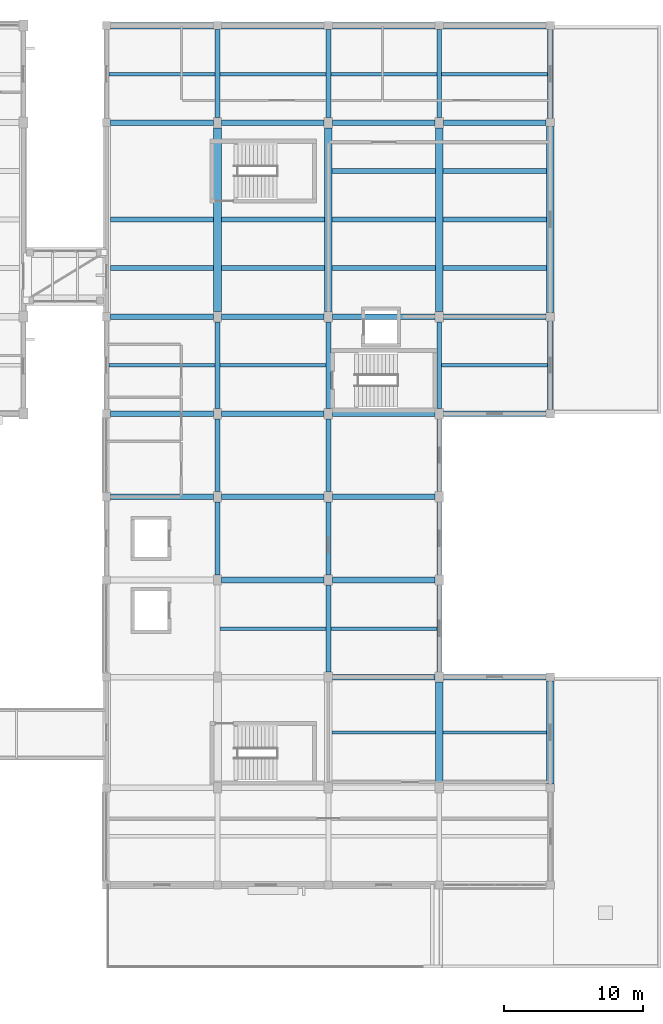
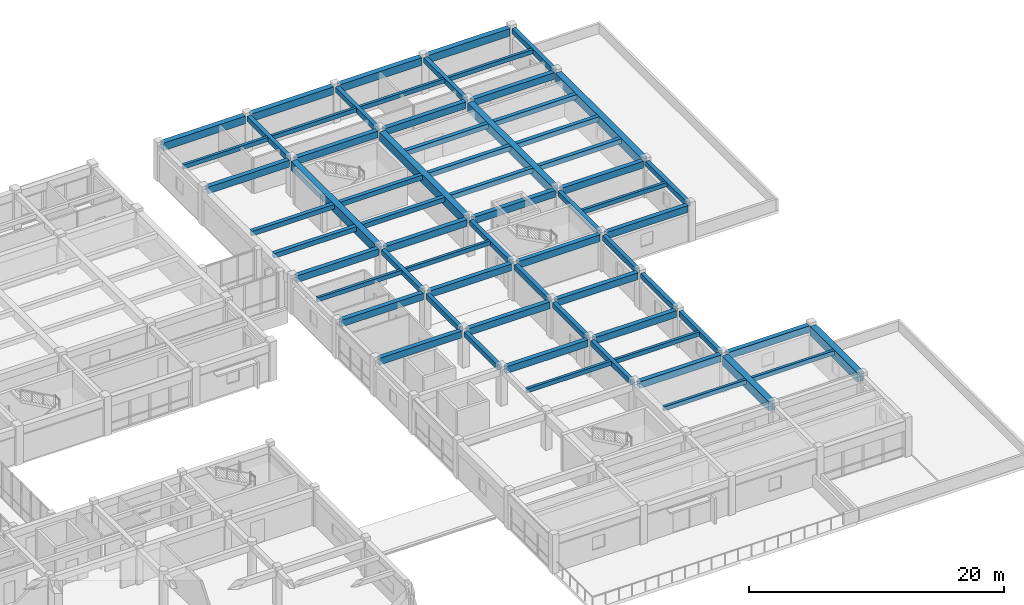
# One storey, part 17 of 42: 66 beams.
"""IFC4 building model written with IfcOpenShell, lengths in metres."""

from ifc_helpers import new_model, si_unit, direction, frame, origin, origin_2d, place, context, subcontext, project, spatial, rectangle, extrude, material, material_profile, profile_set, type_object, element, save


model = new_model("IFC4")

# Units and contexts
model_context = context("Model", 3, precision=1e-05, world=origin(), true_north=direction((0.0, 1.0)))
body_context = subcontext(model_context, "Body", "Model", "MODEL_VIEW")
ifc_project = project(units=[si_unit("LENGTHUNIT", "METRE"), si_unit("AREAUNIT", "SQUARE_METRE"), si_unit("VOLUMEUNIT", "CUBIC_METRE"), si_unit("PLANEANGLEUNIT", "RADIAN"), si_unit("MASSUNIT", "GRAM", prefix="KILO")], contexts=[model_context])

# Site, building, storey
site_placement = place(None, origin())
site = spatial("IfcSite", under=ifc_project, at=site_placement, CompositionType="ELEMENT")
building_placement = place(site_placement, origin())
building = spatial("IfcBuilding", under=site, at=building_placement, Name="Naurynzar Civic Courthouse", CompositionType="ELEMENT")
storey_placement = place(building_placement, frame((0.0, 0.0, 18.300048828125)))
storey = spatial("IfcBuildingStorey", under=building, at=storey_placement, Name="L05", CompositionType="ELEMENT", Elevation=18.300048828125)

# Beams
ifc_material_1 = material(Name="Concrete C40/50", Category="concrete")
ifc_material_profile_1 = material_profile(ifc_material_1, rectangle(XDim=0.25, YDim=0.39990234375, at=origin_2d()), Name="RCB 250x400")
ifc_profile_set_1 = profile_set([ifc_material_profile_1], Name="Concrete C40/50")
beam_type_1 = type_object("IfcBeamType", Name="BM-JST-250x400", PredefinedType="JOIST", material=ifc_profile_set_1)
for number, where, z_axis, x_axis, name in (
    (1, (146.27490234375, 21.0, 3.27001953125), (1.0, 0.0, 0.0), (0.0, 1.0, 0.0), "V5 secondary rib 2704 L05"),
    (2, (154.27490234375, 21.0, 3.27001953125), (1.0, 0.0, 0.0), (0.0, 1.0, 0.0), "V5 secondary rib 2705 L05"),
):
    element("IfcBeam", number, at=place(storey_placement, frame(where, z_axis=z_axis, x_axis=x_axis)), inside=storey, type_object=beam_type_1, Name=name, PredefinedType="JOIST", context=body_context, shape_type="SweptSolid", body=[
        extrude(rectangle(XDim=0.25, YDim=0.39990234375, at=origin_2d()), origin(), (0.0, 0.0, 1.0), 7.4501953125),
    ])
for number, where, z_axis, x_axis, name in (
    (3, (138.175048828125, 28.5, 3.27001953125), (1.0, 0.0, 0.0), (0.0, 1.0, 0.0), "V5 secondary rib 2706 L05"),
    (4, (146.175048828125, 28.5, 3.27001953125), (1.0, 0.0, 0.0), (0.0, 1.0, 0.0), "V5 secondary rib 2707 L05"),
    (5, (130.175048828125, 47.5, 3.27001953125), (1.0, 0.0, 0.0), (0.0, 1.0, 0.0), "V5 secondary rib 2708 L05"),
    (6, (138.175048828125, 47.5, 3.27001953125), (1.0, 0.0, 0.0), (0.0, 1.0, 0.0), "V5 secondary rib 2709 L05"),
    (7, (154.175048828125, 47.5, 3.27001953125), (1.0, 0.0, 0.0), (0.0, 1.0, 0.0), "V5 secondary rib 2710 L05"),
    (8, (130.175048828125, 68.5, 3.27001953125), (1.0, 0.0, 0.0), (0.0, 1.0, 0.0), "V5 secondary rib 2721 L05"),
    (9, (138.175048828125, 68.5, 3.27001953125), (1.0, 0.0, 0.0), (0.0, 1.0, 0.0), "V5 secondary rib 2722 L05"),
    (10, (146.175048828125, 68.5, 3.27001953125), (1.0, 0.0, 0.0), (0.0, 1.0, 0.0), "V5 secondary rib 2723 L05"),
    (11, (154.175048828125, 68.5, 3.27001953125), (1.0, 0.0, 0.0), (0.0, 1.0, 0.0), "V5 secondary rib 2724 L05"),
):
    element("IfcBeam", number, at=place(storey_placement, frame(where, z_axis=z_axis, x_axis=x_axis)), inside=storey, type_object=beam_type_1, Name=name, PredefinedType="JOIST", context=body_context, shape_type="SweptSolid", body=[
        extrude(rectangle(XDim=0.25, YDim=0.39990234375, at=origin_2d()), origin(), (0.0, 0.0, 1.0), 7.64990234375),
    ])
ifc_material_2 = material(Name="Concrete C40/50", Category="concrete")
ifc_material_profile_2 = material_profile(ifc_material_2, rectangle(XDim=0.550048828125, YDim=0.85009765625, at=origin_2d()), Name="PTB 550x850")
ifc_profile_set_2 = profile_set([ifc_material_profile_2], Name="Concrete C40/50")
beam_type_2 = type_object("IfcBeamType", Name="BM-PT-550x850", PredefinedType="T_BEAM", material=ifc_profile_set_2)
for number, where, z_axis, x_axis, name in (
    (12, (138.0, 51.375, 3.044921875), (0.0, 1.0, 0.0), (-1.0, 0.0, 0.0), "V5 girder Y-2677 L05"),
    (13, (146.0, 51.375, 3.044921875), (0.0, 1.0, 0.0), (-1.0, 0.0, 0.0), "V5 girder Y-2685 L05"),
    (14, (154.0, 51.375, 3.044921875), (0.0, 1.0, 0.0), (-1.0, 0.0, 0.0), "V5 girder Y-2693 L05"),
):
    element("IfcBeam", number, at=place(storey_placement, frame(where, z_axis=z_axis, x_axis=x_axis)), inside=storey, type_object=beam_type_2, Name=name, PredefinedType="T_BEAM", context=body_context, shape_type="SweptSolid", body=[
        extrude(rectangle(XDim=0.550048828125, YDim=0.85009765625, at=origin_2d()), origin(), (0.0, 0.0, 1.0), 13.25),
    ])
beam_1_placement = place(storey_placement, frame((162.0, 51.300048828125, 3.044921875), z_axis=(0.0, 1.0, 0.0), x_axis=(-1.0, 0.0, 0.0)))
element("IfcBeam", 15, at=beam_1_placement, inside=storey, type_object=beam_type_2, Name="V5 girder Y-2698 L05", PredefinedType="T_BEAM", context=body_context, shape_type="SweptSolid", body=[
    extrude(rectangle(XDim=0.550048828125, YDim=0.85009765625, at=origin_2d()), origin(), (0.0, 0.0, 1.0), 13.39990234375),
])
ifc_material_3 = material(Name="Concrete C40/50", Category="concrete")
ifc_material_profile_3 = material_profile(ifc_material_3, rectangle(XDim=0.35009765625, YDim=0.449951171875, at=origin_2d()), Name="RCB 350x450")
ifc_profile_set_3 = profile_set([ifc_material_profile_3], Name="Concrete C40/50")
beam_type_3 = type_object("IfcBeamType", Name="BM-RC-350x450", PredefinedType="BEAM", material=ifc_profile_set_3)
for number, where, z_axis, x_axis, name in (
    (16, (130.27490234375, 54.5, 3.244873046875), (1.0, 0.0, 0.0), (0.0, 1.0, 0.0), "V5 secondary rib 2711 L05"),
    (17, (130.27490234375, 58.0, 3.244873046875), (1.0, 0.0, 0.0), (0.0, 1.0, 0.0), "V5 secondary rib 2712 L05"),
    (18, (138.27490234375, 54.5, 3.244873046875), (1.0, 0.0, 0.0), (0.0, 1.0, 0.0), "V5 secondary rib 2713 L05"),
    (19, (138.27490234375, 58.0, 3.244873046875), (1.0, 0.0, 0.0), (0.0, 1.0, 0.0), "V5 secondary rib 2714 L05"),
    (20, (146.27490234375, 54.5, 3.244873046875), (1.0, 0.0, 0.0), (0.0, 1.0, 0.0), "V5 secondary rib 2715 L05"),
    (21, (146.27490234375, 58.0, 3.244873046875), (1.0, 0.0, 0.0), (0.0, 1.0, 0.0), "V5 secondary rib 2716 L05"),
    (22, (146.27490234375, 61.5, 3.244873046875), (1.0, 0.0, 0.0), (0.0, 1.0, 0.0), "V5 secondary rib 2717 L05"),
    (23, (154.27490234375, 54.5, 3.244873046875), (1.0, 0.0, 0.0), (0.0, 1.0, 0.0), "V5 secondary rib 2718 L05"),
    (24, (154.27490234375, 58.0, 3.244873046875), (1.0, 0.0, 0.0), (0.0, 1.0, 0.0), "V5 secondary rib 2719 L05"),
    (25, (154.27490234375, 61.5, 3.244873046875), (1.0, 0.0, 0.0), (0.0, 1.0, 0.0), "V5 secondary rib 2720 L05"),
):
    element("IfcBeam", number, at=place(storey_placement, frame(where, z_axis=z_axis, x_axis=x_axis)), inside=storey, type_object=beam_type_3, Name=name, PredefinedType="BEAM", context=body_context, shape_type="SweptSolid", body=[
        extrude(rectangle(XDim=0.35009765625, YDim=0.449951171875, at=origin_2d()), origin(), (0.0, 0.0, 1.0), 7.4501953125),
    ])
ifc_material_4 = material(Name="Concrete C40/50", Category="concrete")
ifc_material_profile_4 = material_profile(ifc_material_4, rectangle(XDim=0.35009765625, YDim=0.5, at=origin_2d()), Name="RCB 350x500")
ifc_profile_set_4 = profile_set([ifc_material_profile_4], Name="Concrete C40/50")
beam_type_4 = type_object("IfcBeamType", Name="BM-RC-350x500", PredefinedType="BEAM", material=ifc_profile_set_4)
for number, where, z_axis, x_axis, name in (
    (26, (138.0, 32.375, 3.219970703125), (0.0, 1.0, 0.0), (-1.0, 0.0, 0.0), "V5 girder Y-2674 L05"),
    (27, (138.0, 38.375, 3.219970703125), (0.0, 1.0, 0.0), (-1.0, 0.0, 0.0), "V5 girder Y-2675 L05"),
):
    element("IfcBeam", number, at=place(storey_placement, frame(where, z_axis=z_axis, x_axis=x_axis)), inside=storey, type_object=beam_type_4, Name=name, PredefinedType="BEAM", context=body_context, shape_type="SweptSolid", body=[
        extrude(rectangle(XDim=0.35009765625, YDim=0.5, at=origin_2d()), origin(), (0.0, 0.0, 1.0), 5.25),
    ])
beam_2_placement = place(storey_placement, frame((138.0, 44.375, 3.219970703125), z_axis=(0.0, 1.0, 0.0), x_axis=(-1.0, 0.0, 0.0)))
element("IfcBeam", 28, at=beam_2_placement, inside=storey, type_object=beam_type_4, Name="V5 girder Y-2676 L05", PredefinedType="BEAM", context=body_context, shape_type="SweptSolid", body=[
    extrude(rectangle(XDim=0.35009765625, YDim=0.5, at=origin_2d()), origin(), (0.0, 0.0, 1.0), 6.25),
])
beam_3_placement = place(storey_placement, frame((138.0, 65.375, 3.219970703125), z_axis=(0.0, 1.0, 0.0), x_axis=(-1.0, 0.0, 0.0)))
element("IfcBeam", 29, at=beam_3_placement, inside=storey, type_object=beam_type_4, Name="V5 girder Y-2678 L05", PredefinedType="BEAM", context=body_context, shape_type="SweptSolid", body=[
    extrude(rectangle(XDim=0.35009765625, YDim=0.5, at=origin_2d()), origin(), (0.0, 0.0, 1.0), 6.324951171875),
])
beam_4_placement = place(storey_placement, frame((146.0, 25.375, 3.219970703125), z_axis=(0.0, 1.0, 0.0), x_axis=(-1.0, 0.0, 0.0)))
element("IfcBeam", 30, at=beam_4_placement, inside=storey, type_object=beam_type_4, Name="V5 girder Y-2681 L05", PredefinedType="BEAM", context=body_context, shape_type="SweptSolid", body=[
    extrude(rectangle(XDim=0.35009765625, YDim=0.5, at=origin_2d()), origin(), (0.0, 0.0, 1.0), 6.25),
])
for number, where, z_axis, x_axis, name in (
    (31, (146.0, 32.375, 3.219970703125), (0.0, 1.0, 0.0), (-1.0, 0.0, 0.0), "V5 girder Y-2682 L05"),
    (32, (146.0, 38.375, 3.219970703125), (0.0, 1.0, 0.0), (-1.0, 0.0, 0.0), "V5 girder Y-2683 L05"),
):
    element("IfcBeam", number, at=place(storey_placement, frame(where, z_axis=z_axis, x_axis=x_axis)), inside=storey, type_object=beam_type_4, Name=name, PredefinedType="BEAM", context=body_context, shape_type="SweptSolid", body=[
        extrude(rectangle(XDim=0.35009765625, YDim=0.5, at=origin_2d()), origin(), (0.0, 0.0, 1.0), 5.25),
    ])
beam_5_placement = place(storey_placement, frame((146.0, 44.375, 3.219970703125), z_axis=(0.0, 1.0, 0.0), x_axis=(-1.0, 0.0, 0.0)))
element("IfcBeam", 33, at=beam_5_placement, inside=storey, type_object=beam_type_4, Name="V5 girder Y-2684 L05", PredefinedType="BEAM", context=body_context, shape_type="SweptSolid", body=[
    extrude(rectangle(XDim=0.35009765625, YDim=0.5, at=origin_2d()), origin(), (0.0, 0.0, 1.0), 6.25),
])
beam_6_placement = place(storey_placement, frame((146.0, 65.375, 3.219970703125), z_axis=(0.0, 1.0, 0.0), x_axis=(-1.0, 0.0, 0.0)))
element("IfcBeam", 34, at=beam_6_placement, inside=storey, type_object=beam_type_4, Name="V5 girder Y-2686 L05", PredefinedType="BEAM", context=body_context, shape_type="SweptSolid", body=[
    extrude(rectangle(XDim=0.35009765625, YDim=0.5, at=origin_2d()), origin(), (0.0, 0.0, 1.0), 6.324951171875),
])
beam_7_placement = place(storey_placement, frame((154.0, 25.375, 3.219970703125), z_axis=(0.0, 1.0, 0.0), x_axis=(-1.0, 0.0, 0.0)))
element("IfcBeam", 35, at=beam_7_placement, inside=storey, type_object=beam_type_4, Name="V5 girder Y-2689 L05", PredefinedType="BEAM", context=body_context, shape_type="SweptSolid", body=[
    extrude(rectangle(XDim=0.35009765625, YDim=0.5, at=origin_2d()), origin(), (0.0, 0.0, 1.0), 6.25),
])
for number, where, z_axis, x_axis, name in (
    (36, (154.0, 32.375, 3.219970703125), (0.0, 1.0, 0.0), (-1.0, 0.0, 0.0), "V5 girder Y-2690 L05"),
    (37, (154.0, 38.375, 3.219970703125), (0.0, 1.0, 0.0), (-1.0, 0.0, 0.0), "V5 girder Y-2691 L05"),
):
    element("IfcBeam", number, at=place(storey_placement, frame(where, z_axis=z_axis, x_axis=x_axis)), inside=storey, type_object=beam_type_4, Name=name, PredefinedType="BEAM", context=body_context, shape_type="SweptSolid", body=[
        extrude(rectangle(XDim=0.35009765625, YDim=0.5, at=origin_2d()), origin(), (0.0, 0.0, 1.0), 5.25),
    ])
beam_8_placement = place(storey_placement, frame((154.0, 44.375, 3.219970703125), z_axis=(0.0, 1.0, 0.0), x_axis=(-1.0, 0.0, 0.0)))
element("IfcBeam", 38, at=beam_8_placement, inside=storey, type_object=beam_type_4, Name="V5 girder Y-2692 L05", PredefinedType="BEAM", context=body_context, shape_type="SweptSolid", body=[
    extrude(rectangle(XDim=0.35009765625, YDim=0.5, at=origin_2d()), origin(), (0.0, 0.0, 1.0), 6.25),
])
beam_9_placement = place(storey_placement, frame((154.0, 65.375, 3.219970703125), z_axis=(0.0, 1.0, 0.0), x_axis=(-1.0, 0.0, 0.0)))
element("IfcBeam", 39, at=beam_9_placement, inside=storey, type_object=beam_type_4, Name="V5 girder Y-2694 L05", PredefinedType="BEAM", context=body_context, shape_type="SweptSolid", body=[
    extrude(rectangle(XDim=0.35009765625, YDim=0.5, at=origin_2d()), origin(), (0.0, 0.0, 1.0), 6.324951171875),
])
for number, where, z_axis, x_axis, name in (
    (40, (162.0, 44.300048828125, 3.219970703125), (0.0, 1.0, 0.0), (-1.0, 0.0, 0.0), "V5 girder Y-2697 L05"),
    (41, (162.0, 65.300048828125, 3.219970703125), (0.0, 1.0, 0.0), (-1.0, 0.0, 0.0), "V5 girder Y-2699 L05"),
):
    element("IfcBeam", number, at=place(storey_placement, frame(where, z_axis=z_axis, x_axis=x_axis)), inside=storey, type_object=beam_type_4, Name=name, PredefinedType="BEAM", context=body_context, shape_type="SweptSolid", body=[
        extrude(rectangle(XDim=0.35009765625, YDim=0.5, at=origin_2d()), origin(), (0.0, 0.0, 1.0), 6.39990234375),
    ])
ifc_material_5 = material(Name="Concrete C40/50", Category="concrete")
ifc_material_profile_5 = material_profile(ifc_material_5, rectangle(XDim=0.39990234375, YDim=0.64990234375, at=origin_2d()), Name="RCB 400x650")
ifc_profile_set_5 = profile_set([ifc_material_profile_5], Name="Concrete C40/50")
beam_type_5 = type_object("IfcBeamType", Name="BM-RC-400x650", PredefinedType="BEAM", material=ifc_profile_set_5)
for number, where, z_axis, x_axis, name in (
    (42, (146.300048828125, 25.0, 3.14501953125), (1.0, 0.0, 0.0), (0.0, 1.0, 0.0), "V5 beam X-2639 L05"),
    (43, (154.300048828125, 25.0, 3.14501953125), (1.0, 0.0, 0.0), (0.0, 1.0, 0.0), "V5 beam X-2640 L05"),
    (44, (138.300048828125, 32.0, 3.14501953125), (1.0, 0.0, 0.0), (0.0, 1.0, 0.0), "V5 beam X-2642 L05"),
    (45, (146.300048828125, 32.0, 3.14501953125), (1.0, 0.0, 0.0), (0.0, 1.0, 0.0), "V5 beam X-2643 L05"),
    (46, (130.300048828125, 38.0, 3.14501953125), (1.0, 0.0, 0.0), (0.0, 1.0, 0.0), "V5 beam X-2644 L05"),
    (47, (138.300048828125, 38.0, 3.14501953125), (1.0, 0.0, 0.0), (0.0, 1.0, 0.0), "V5 beam X-2645 L05"),
    (48, (146.300048828125, 38.0, 3.14501953125), (1.0, 0.0, 0.0), (0.0, 1.0, 0.0), "V5 beam X-2646 L05"),
    (49, (130.300048828125, 44.0, 3.14501953125), (1.0, 0.0, 0.0), (0.0, 1.0, 0.0), "V5 beam X-2647 L05"),
    (50, (138.300048828125, 44.0, 3.14501953125), (1.0, 0.0, 0.0), (0.0, 1.0, 0.0), "V5 beam X-2648 L05"),
    (51, (146.300048828125, 44.0, 3.14501953125), (1.0, 0.0, 0.0), (0.0, 1.0, 0.0), "V5 beam X-2649 L05"),
    (52, (154.300048828125, 44.0, 3.14501953125), (1.0, 0.0, 0.0), (0.0, 1.0, 0.0), "V5 beam X-2650 L05"),
    (53, (130.300048828125, 51.0, 3.14501953125), (1.0, 0.0, 0.0), (0.0, 1.0, 0.0), "V5 beam X-2651 L05"),
    (54, (138.300048828125, 51.0, 3.14501953125), (1.0, 0.0, 0.0), (0.0, 1.0, 0.0), "V5 beam X-2652 L05"),
    (55, (146.300048828125, 51.0, 3.14501953125), (1.0, 0.0, 0.0), (0.0, 1.0, 0.0), "V5 beam X-2653 L05"),
    (56, (154.300048828125, 51.0, 3.14501953125), (1.0, 0.0, 0.0), (0.0, 1.0, 0.0), "V5 beam X-2654 L05"),
    (57, (130.300048828125, 65.0, 3.14501953125), (1.0, 0.0, 0.0), (0.0, 1.0, 0.0), "V5 beam X-2655 L05"),
    (58, (138.300048828125, 65.0, 3.14501953125), (1.0, 0.0, 0.0), (0.0, 1.0, 0.0), "V5 beam X-2656 L05"),
    (59, (146.300048828125, 65.0, 3.14501953125), (1.0, 0.0, 0.0), (0.0, 1.0, 0.0), "V5 beam X-2657 L05"),
    (60, (154.300048828125, 65.0, 3.14501953125), (1.0, 0.0, 0.0), (0.0, 1.0, 0.0), "V5 beam X-2658 L05"),
):
    element("IfcBeam", number, at=place(storey_placement, frame(where, z_axis=z_axis, x_axis=x_axis)), inside=storey, type_object=beam_type_5, Name=name, PredefinedType="BEAM", context=body_context, shape_type="SweptSolid", body=[
        extrude(rectangle(XDim=0.39990234375, YDim=0.64990234375, at=origin_2d()), origin(), (0.0, 0.0, 1.0), 7.39990234375),
    ])
ifc_material_6 = material(Name="Concrete C40/50", Category="concrete")
ifc_material_profile_6 = material_profile(ifc_material_6, rectangle(XDim=0.47509765625, YDim=0.72509765625, at=origin_2d()), Name="RCB 475x725")
ifc_profile_set_6 = profile_set([ifc_material_profile_6], Name="Concrete C40/50")
beam_type_6 = type_object("IfcBeamType", Name="BM-RC-475x725", PredefinedType="SPANDREL", material=ifc_profile_set_6)
for number, where, z_axis, x_axis, name in (
    (61, (130.300048828125, 72.0, 3.107421875), (1.0, 0.0, 0.0), (0.0, 1.0, 0.0), "V5 beam X-2659 L05"),
    (62, (138.300048828125, 72.0, 3.107421875), (1.0, 0.0, 0.0), (0.0, 1.0, 0.0), "V5 beam X-2660 L05"),
    (63, (146.300048828125, 72.0, 3.107421875), (1.0, 0.0, 0.0), (0.0, 1.0, 0.0), "V5 beam X-2661 L05"),
    (64, (154.300048828125, 72.0, 3.107421875), (1.0, 0.0, 0.0), (0.0, 1.0, 0.0), "V5 beam X-2662 L05"),
):
    element("IfcBeam", number, at=place(storey_placement, frame(where, z_axis=z_axis, x_axis=x_axis)), inside=storey, type_object=beam_type_6, Name=name, PredefinedType="SPANDREL", context=body_context, shape_type="SweptSolid", body=[
        extrude(rectangle(XDim=0.47509765625, YDim=0.72509765625, at=origin_2d()), origin(), (0.0, 0.0, 1.0), 7.39990234375),
    ])
ifc_material_7 = material(Name="Concrete C40/50", Category="concrete")
ifc_material_profile_7 = material_profile(ifc_material_7, rectangle(XDim=0.550048828125, YDim=0.89990234375, at=origin_2d()), Name="RCB 550x900")
ifc_profile_set_7 = profile_set([ifc_material_profile_7], Name="Concrete C40/50")
beam_type_7 = type_object("IfcBeamType", Name="BM-RC-550x900", PredefinedType="T_BEAM", material=ifc_profile_set_7)
beam_10_placement = place(storey_placement, frame((154.0, 17.375, 3.02001953125), z_axis=(0.0, 1.0, 0.0), x_axis=(-1.0, 0.0, 0.0)))
element("IfcBeam", 65, at=beam_10_placement, inside=storey, type_object=beam_type_7, Name="V5 girder Y-2688 L05", PredefinedType="T_BEAM", context=body_context, shape_type="SweptSolid", body=[
    extrude(rectangle(XDim=0.550048828125, YDim=0.89990234375, at=origin_2d()), origin(), (0.0, 0.0, 1.0), 7.25),
])
beam_11_placement = place(storey_placement, frame((162.0, 17.300048828125, 3.02001953125), z_axis=(0.0, 1.0, 0.0), x_axis=(-1.0, 0.0, 0.0)))
element("IfcBeam", 66, at=beam_11_placement, inside=storey, type_object=beam_type_7, Name="V5 girder Y-2696 L05", PredefinedType="T_BEAM", context=body_context, shape_type="SweptSolid", body=[
    extrude(rectangle(XDim=0.550048828125, YDim=0.89990234375, at=origin_2d()), origin(), (0.0, 0.0, 1.0), 7.39990234375),
])

save(model, "model.ifc")
